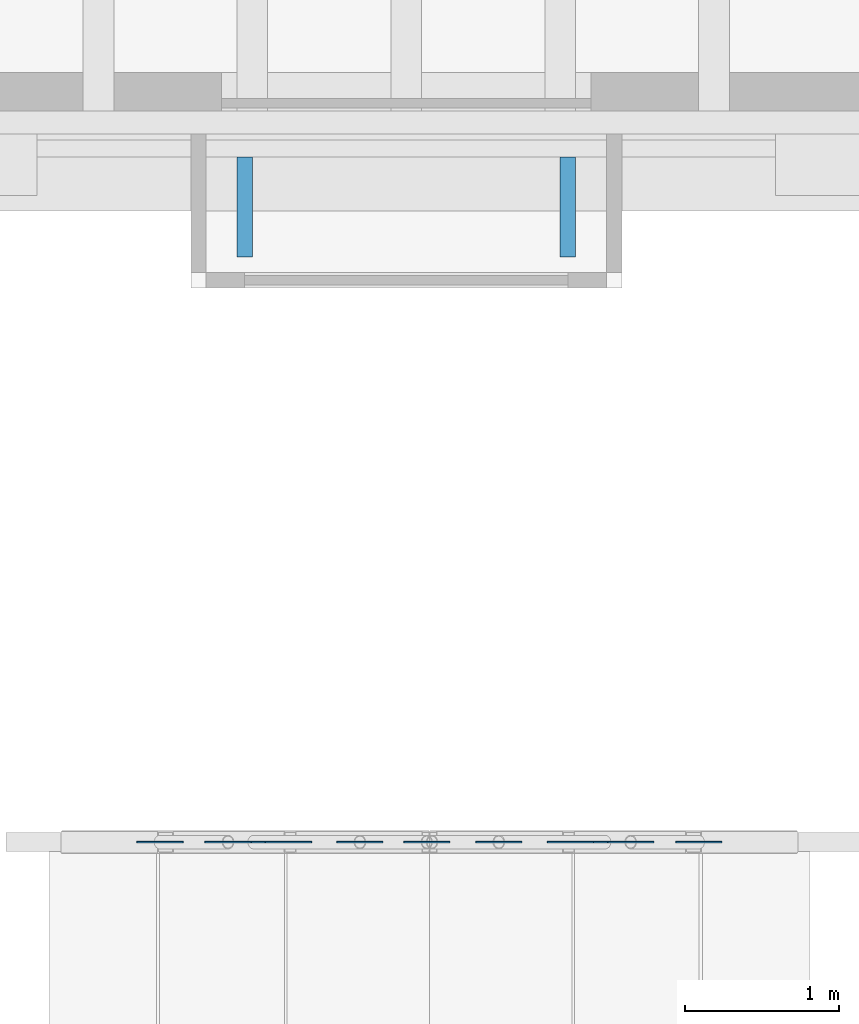
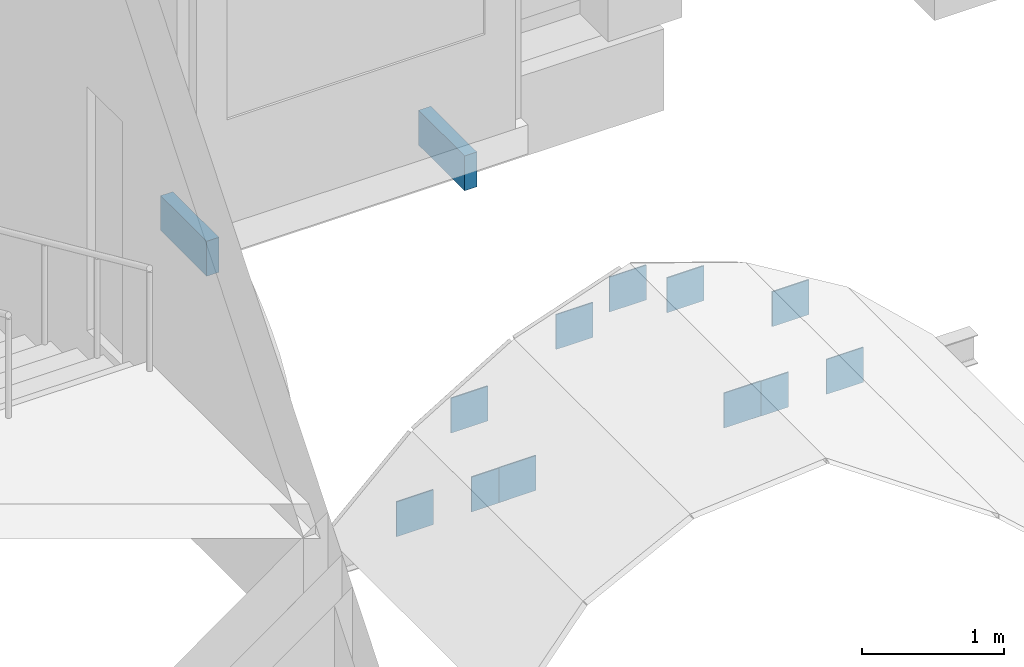
# One storey, part 56 of 80: 13 discrete accessories.
"""IFC4 building model written with IfcOpenShell, lengths in metres."""

import ifcopenshell
import ifcopenshell.guid

model = None  # the IFC model being written
_history = None  # IfcOwnerHistory: only IFC2X3 demands one
_inside = {}  # id of a spatial element -> (the spatial element, [elements in it])
_under = {}  # id of a project, library or spatial element -> (it, [spatial elements below it])
_declared = {}  # id of a project -> (the project, [libraries it declares])
_typed = {}  # id of a type object -> (the type object, [elements of that type])
_made_of = {}  # id of a material, layer set ... -> (it, [elements and type objects made of it])


def new_model(schema):
    """Start an empty IFC model of exactly this schema.

    Asked for "IFC4X3", IfcOpenShell would pick the latest addendum, in which some entities
    have other attributes; the version numbers below select the first issue.
    IFC2X3 requires an IfcOwnerHistory on every rooted entity: one is made here for all.
    """
    global model, _history
    if schema == "IFC4X3":
        model = ifcopenshell.file(schema_version=(4, 3, 0, 0))
    else:
        model = ifcopenshell.file(schema=schema)
    _inside.clear()
    _under.clear()
    _declared.clear()
    _typed.clear()
    _made_of.clear()
    _history = None
    if model.schema == "IFC2X3":
        org = make("IfcOrganization", Name="unknown")
        user = make(
            "IfcPersonAndOrganization",
            ThePerson=make("IfcPerson", FamilyName="unknown"),
            TheOrganization=org,
        )
        app = make(
            "IfcApplication",
            ApplicationDeveloper=org,
            Version="unknown",
            ApplicationFullName="unknown",
            ApplicationIdentifier="unknown",
        )
        _history = make(
            "IfcOwnerHistory",
            OwningUser=user,
            OwningApplication=app,
            ChangeAction="ADDED",
            CreationDate=0,
        )
    return model


def make(cls, **values):
    """One entity of the class cls with the attributes given. An attribute that is None is left unset."""
    return model.create_entity(
        cls, **{name: value for name, value in values.items() if value is not None}
    )


def rooted(cls, **values):
    """An entity with a GlobalId (a new one), such as an element, a storey or a relation."""
    return make(cls, GlobalId=ifcopenshell.guid.new(), OwnerHistory=_history, **values)


def si_unit(unit_type, name, prefix=None):
    """IfcSIUnit, for example si_unit("LENGTHUNIT", "METRE", prefix="MILLI")."""
    return make("IfcSIUnit", UnitType=unit_type, Prefix=prefix, Name=name)


def assignment(units):
    """IfcUnitAssignment: the units of a project."""
    return None if units is None else make("IfcUnitAssignment", Units=units)


def point(xyz):
    """IfcCartesianPoint."""
    return None if xyz is None else make("IfcCartesianPoint", Coordinates=xyz)


def direction(xyz):
    """IfcDirection."""
    return None if xyz is None else make("IfcDirection", DirectionRatios=xyz)


def frame(location, z_axis=None, x_axis=None):
    """IfcAxis2Placement3D, a coordinate frame: its origin and axes. An axis left out is left unset."""
    return make(
        "IfcAxis2Placement3D",
        Location=point(location),
        Axis=direction(z_axis),
        RefDirection=direction(x_axis),
    )


def frame_2d(location, x_axis=None):
    """IfcAxis2Placement2D, a coordinate frame in the plane: its origin and x axis."""
    return make(
        "IfcAxis2Placement2D", Location=point(location), RefDirection=direction(x_axis)
    )


def origin():
    """The frame at (0, 0, 0) with its axes left unset."""
    return frame((0.0, 0.0, 0.0))


def origin_2d():
    """The frame at (0, 0) in the plane with its x axis left unset."""
    return frame_2d((0.0, 0.0))


def place(relative_to, where):
    """IfcLocalPlacement: puts the frame where relative to a parent placement (None: the world)."""
    return make(
        "IfcLocalPlacement", PlacementRelTo=relative_to, RelativePlacement=where
    )


def context(
    kind, dimensions, precision=None, world=None, true_north=None, identifier=None
):
    """IfcGeometricRepresentationContext, for example the 3D "Model" context."""
    return make(
        "IfcGeometricRepresentationContext",
        ContextIdentifier=identifier,
        ContextType=kind,
        CoordinateSpaceDimension=dimensions,
        Precision=precision,
        WorldCoordinateSystem=world,
        TrueNorth=true_north,
    )


def subcontext(parent, identifier, kind, view, scale=None):
    """IfcGeometricRepresentationSubContext, for example "Body" below "Model"."""
    return make(
        "IfcGeometricRepresentationSubContext",
        ContextIdentifier=identifier,
        ContextType=kind,
        ParentContext=parent,
        TargetScale=scale,
        TargetView=view,
    )


def project(units=None, contexts=None):
    """IfcProject with its units and contexts."""
    return rooted(
        "IfcProject",
        Name="project",
        RepresentationContexts=contexts,
        UnitsInContext=assignment(units),
    )


def spatial(cls, under=None, at=None, **own):
    """A site, building, storey or space (cls), placed at a placement, below another one or the project."""
    s = rooted(cls, ObjectPlacement=at, **own)
    if under is not None:
        _under.setdefault(under.id(), (under, []))[1].append(s)
    return s


def profile(cls, at=None, kind="AREA", **sizes):
    """A parametric profile (cls). Its sizes go by their IFC names, for example OverallWidth=200.0."""
    return make(cls, ProfileType=kind, Position=at, **sizes)


def rectangle(**sizes):
    """IfcRectangleProfileDef."""
    return profile("IfcRectangleProfileDef", **sizes)


def extrude(swept, where, along, depth):
    """IfcExtrudedAreaSolid: the profile swept, set in the frame where, extruded along a direction by depth."""
    return make(
        "IfcExtrudedAreaSolid",
        SweptArea=swept,
        Position=where,
        ExtrudedDirection=direction(along),
        Depth=depth,
    )


def shape(context_of_items, identifier, shape_type, items):
    """IfcShapeRepresentation: the items that make up one representation, for example the "Body"."""
    return make(
        "IfcShapeRepresentation",
        ContextOfItems=context_of_items,
        RepresentationIdentifier=identifier,
        RepresentationType=shape_type,
        Items=items,
    )


def material(Name=None, Category=None):
    """IfcMaterial."""
    return make("IfcMaterial", Name=Name, Category=Category)


def material_profile(
    of_material, cross_section, Name=None, Category=None, Priority=None
):
    """IfcMaterialProfile: a cross section and its material."""
    return make(
        "IfcMaterialProfile",
        Name=Name,
        Material=of_material,
        Profile=cross_section,
        Priority=Priority,
        Category=Category,
    )


def profile_set(profiles, Name=None, composite=None):
    """IfcMaterialProfileSet."""
    return make(
        "IfcMaterialProfileSet",
        Name=Name,
        MaterialProfiles=profiles,
        CompositeProfile=composite,
    )


def made_of(thing, what):
    """Note that an element or type object is made of a material, layer set ...; save() writes the relation."""
    if what is not None:
        _made_of.setdefault(what.id(), (what, []))[1].append(thing)
    return thing


def type_object(cls, material=None, **own):
    """A type object (cls), such as IfcWallType, which elements share."""
    return made_of(rooted(cls, **own), material)


def element(
    cls,
    number,
    at=None,
    inside=None,
    cuts=None,
    type_object=None,
    material=None,
    context=None,
    identifier="Body",
    shape_type=None,
    held_by="IfcProductDefinitionShape",
    body=None,
    shapes=None,
    **own,
):
    """One element of the class cls, such as IfcWall. Its Tag is "e" and its number.

    at: its placement. inside: the storey or other place that contains it. cuts: it is an
    opening in that element (IfcRelVoidsElement). A single representation is given by context,
    identifier, shape_type and body (its items); several are given by shapes. held_by: the class
    of the entity that holds the representations. save() writes the other relations.
    """
    e = rooted(cls, Tag="e%d" % number, ObjectPlacement=at, **own)
    if body is not None:
        shapes = [shape(context, identifier, shape_type, body)]
    if shapes is not None:
        e.Representation = make(held_by, Representations=shapes)
    if inside is not None:
        _inside.setdefault(inside.id(), (inside, []))[1].append(e)
    if cuts is not None:
        rooted(
            "IfcRelVoidsElement", RelatingBuildingElement=cuts, RelatedOpeningElement=e
        )
    if type_object is not None:
        _typed.setdefault(type_object.id(), (type_object, []))[1].append(e)
    return made_of(e, material)


def aggregate(whole, parts):
    """IfcRelAggregates: a whole, such as a stair, and the parts it consists of."""
    return rooted("IfcRelAggregates", RelatingObject=whole, RelatedObjects=parts)


def save(model, path):
    """Write the relations noted so far, then the file.

    IfcRelAggregates (storeys below a building ...), IfcRelContainedInSpatialStructure (elements
    in a storey), IfcRelDefinesByType, IfcRelAssociatesMaterial and IfcRelDeclares: one each for
    every whole, place, type object, material and project.
    """
    for whole, parts in _under.values():
        aggregate(whole, parts)
    for where, things in _inside.values():
        rooted(
            "IfcRelContainedInSpatialStructure",
            RelatedElements=things,
            RelatingStructure=where,
        )
    for kind, things in _typed.values():
        rooted("IfcRelDefinesByType", RelatedObjects=things, RelatingType=kind)
    for what, things in _made_of.values():
        rooted("IfcRelAssociatesMaterial", RelatedObjects=things, RelatingMaterial=what)
    for by, libraries in _declared.values():
        rooted("IfcRelDeclares", RelatingContext=by, RelatedDefinitions=libraries)
    model.write(path)


model = new_model("IFC4")

# Units and contexts
model_context = context("Model", 3, precision=1e-05, world=origin(), true_north=direction((0.0, 1.0)))
body_context = subcontext(model_context, "Body", "Model", "MODEL_VIEW")
ifc_project = project(units=[si_unit("LENGTHUNIT", "METRE"), si_unit("AREAUNIT", "SQUARE_METRE"), si_unit("VOLUMEUNIT", "CUBIC_METRE"), si_unit("PLANEANGLEUNIT", "RADIAN"), si_unit("MASSUNIT", "GRAM", prefix="KILO")], contexts=[model_context])

# Site, building, storey
site_placement = place(None, origin())
site = spatial("IfcSite", under=ifc_project, at=site_placement, CompositionType="ELEMENT")
building_placement = place(site_placement, origin())
building = spatial("IfcBuilding", under=site, at=building_placement, Name="Saffron Lane Theatres", CompositionType="ELEMENT")
storey_placement = place(building_placement, frame((0.0, 0.0, 7.0)))
storey = spatial("IfcBuildingStorey", under=building, at=storey_placement, Name="L01", CompositionType="ELEMENT", Elevation=7.0)

# Discrete accessories
ifc_material = material(Name="Steel Grade 350", Category="steel")
ifc_material_profile = material_profile(ifc_material, rectangle(XDim=0.300048828125, YDim=0.300048828125, at=origin_2d()))
ifc_profile_set = profile_set([ifc_material_profile], Name="Steel Grade 350")
discrete_accessory_type = type_object("IfcDiscreteAccessoryType", Name="ST-GUSSET CONNECTION PLATE", PredefinedType="BRACKET", material=ifc_profile_set)
for number, where, z_axis, x_axis, name in (
    (1, (55.400390625, 97.39501953125, -0.107177734375), (0.0, 1.0, 0.0), (-1.0, 0.0, 0.0), "GB665"),
    (2, (55.84228515625, 97.39501953125, 0.6298828125), (0.0, 1.0, 0.0), (-1.0, 0.0, 0.0), "GB666"),
    (3, (56.009033203125, 97.39501953125, -0.107177734375), (0.0, 1.0, 0.0), (-1.0, 0.0, 0.0), "GB667"),
    (4, (56.69873046875, 97.39501953125, 1.049560546875), (0.0, 1.0, 0.0), (-1.0, 0.0, 0.0), "GB668"),
    (5, (58.291015625, 97.39501953125, -0.107177734375), (0.0, 1.0, 0.0), (-1.0, 0.0, 0.0), "GB669"),
    (6, (57.60107421875, 97.39501953125, 1.049560546875), (0.0, 1.0, 0.0), (-1.0, 0.0, 0.0), "GB670"),
    (7, (58.899658203125, 97.39501953125, -0.107177734375), (0.0, 1.0, 0.0), (-1.0, 0.0, 0.0), "GB671"),
    (8, (58.457763671875, 97.39501953125, 0.6298828125), (0.0, 1.0, 0.0), (-1.0, 0.0, 0.0), "GB672"),
    (9, (56.234619140625, 97.39501953125, -0.10498046875), (0.0, 1.0, 0.0), (-1.0, 0.0, 0.0), "GB706"),
    (10, (57.133056640625, 97.39501953125, 1.219970703125), (0.0, 1.0, 0.0), (-1.0, 0.0, 0.0), "GB707"),
    (11, (58.065185546875, 97.39501953125, -0.10498046875), (0.0, 1.0, 0.0), (-1.0, 0.0, 0.0), "GB708"),
):
    element("IfcDiscreteAccessory", number, at=place(storey_placement, frame(where, z_axis=z_axis, x_axis=x_axis)), inside=storey, type_object=discrete_accessory_type, Name=name, PredefinedType="BRACKET", context=body_context, shape_type="SweptSolid", body=[
        extrude(rectangle(XDim=0.300048828125, YDim=0.300048828125, at=origin_2d()), origin(), (0.0, 0.0, 1.0), 0.010009765625),
    ])
for number, where, z_axis, x_axis, name in (
    (12, (58.050048828125, 101.52490234375, -0.5498046875), (0.0, 0.0, 1.0), (-1.0, 0.0, 0.0), "Cumba bracket 2"),
    (13, (55.949951171875, 101.52490234375, -0.5498046875), (0.0, 0.0, 1.0), (-1.0, 0.0, 0.0), "Cumba bracket 2"),
):
    element("IfcDiscreteAccessory", number, at=place(storey_placement, frame(where, z_axis=z_axis, x_axis=x_axis)), inside=storey, Name=name, PredefinedType="BRACKET", context=body_context, shape_type="SweptSolid", body=[
        extrude(rectangle(XDim=0.10009765625, YDim=0.64990234375, at=origin_2d()), origin(), (0.0, 0.0, 1.0), 0.300048828125),
    ])

save(model, "model.ifc")
